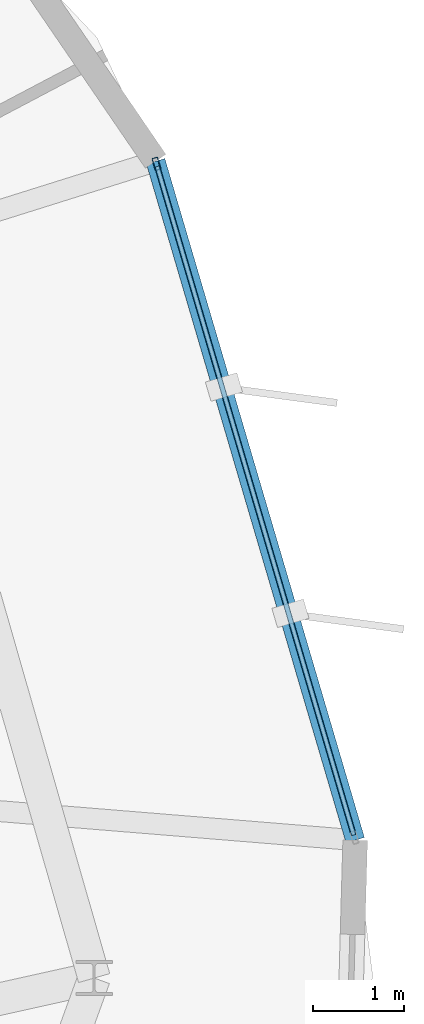
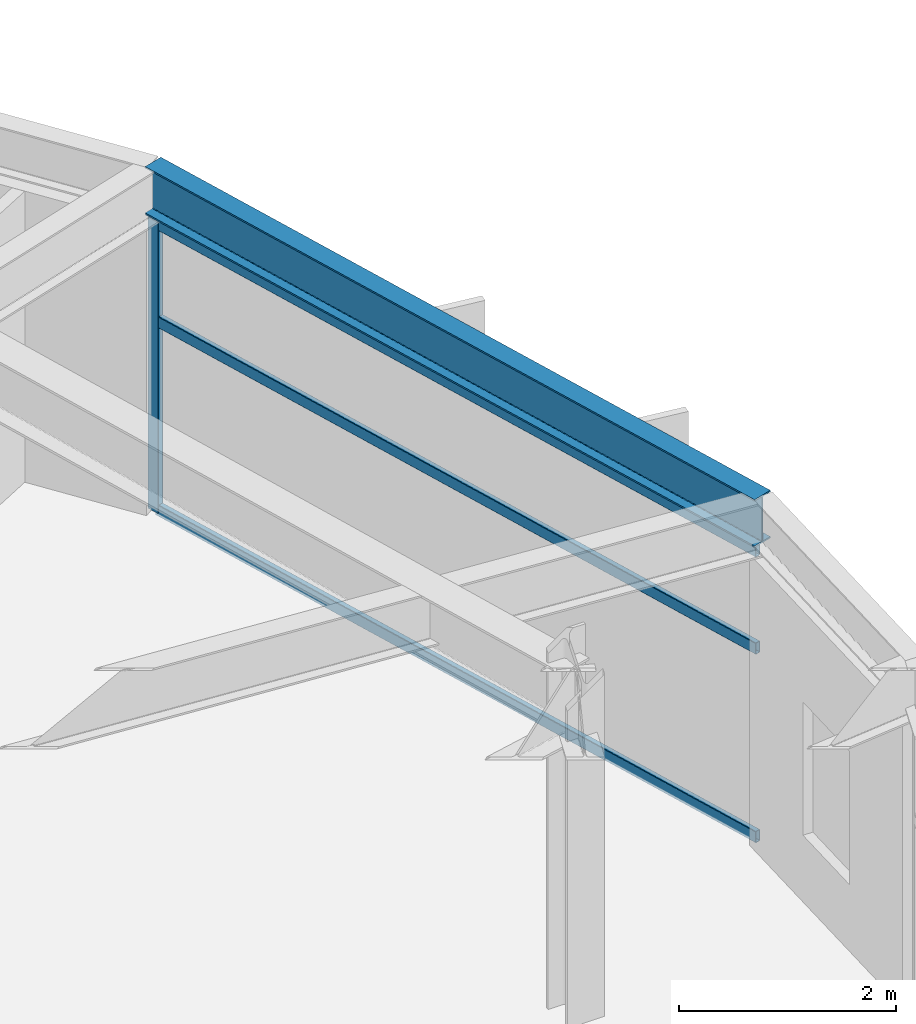
# One storey, part 13 of 20: 4 members, 1 beam, 1 element without a shape of its own.
"""IFC4 building model written with IfcOpenShell, lengths in metres."""

from ifc_helpers import new_model, si_unit, direction, frame, origin, origin_2d, place, context, subcontext, project, spatial, hollow_rectangle, i_section, extrude, material, layer, layer_set, material_profile, profile_set, type_object, element, aggregate, save


model = new_model("IFC4")

# Units and contexts
model_context = context("Model", 3, precision=1e-05, world=origin(), true_north=direction((0.0, 1.0)))
body_context = subcontext(model_context, "Body", "Model", "MODEL_VIEW")
ifc_project = project(units=[si_unit("LENGTHUNIT", "METRE"), si_unit("AREAUNIT", "SQUARE_METRE"), si_unit("VOLUMEUNIT", "CUBIC_METRE"), si_unit("PLANEANGLEUNIT", "RADIAN"), si_unit("MASSUNIT", "GRAM", prefix="KILO")], contexts=[model_context])

# Site, building, storey
site_placement = place(None, origin())
site = spatial("IfcSite", under=ifc_project, at=site_placement, CompositionType="ELEMENT")
building_placement = place(site_placement, origin())
building = spatial("IfcBuilding", under=site, at=building_placement, Name="Soratama Intermodal Tower", CompositionType="ELEMENT")
storey_placement = place(building_placement, frame((0.0, 0.0, 293.050048828125)))
storey = spatial("IfcBuildingStorey", under=building, at=storey_placement, Name="L74", CompositionType="ELEMENT", Elevation=293.050048828125)

# Beam
ifc_material_1 = material(Name="Structural steel ASTM A992 Grade 50", Category="steel")
ifc_material_profile_1 = material_profile(ifc_material_1, i_section(OverallWidth=0.2099609375, OverallDepth=0.537109375, WebThickness=0.010986328125, FlangeThickness=0.017333984375, FilletRadius=0.012939453125, at=origin_2d()), Name="W21X68")
ifc_profile_set_1 = profile_set([ifc_material_profile_1], Name="Structural steel ASTM A992 Grade 50")
beam_type = type_object("IfcBeamType", Name="BM-SPN-W21X68", PredefinedType="SPANDREL", material=ifc_profile_set_1)
beam_placement = place(storey_placement, frame((59.552978515625, 25.9990234375, 3.62646484375), z_axis=(-0.28203683216, 0.959403577909, 0.0), x_axis=(-0.959403577909, -0.28203683216, 0.0)))
element("IfcBeam", 1, at=beam_placement, inside=storey, type_object=beam_type, Name="BS-L74-F09", PredefinedType="SPANDREL", context=body_context, shape_type="SweptSolid", body=[
    extrude(i_section(OverallWidth=0.2099609375, OverallDepth=0.537109375, WebThickness=0.010986328125, FlangeThickness=0.017333984375, FilletRadius=0.012939453125, at=origin_2d()), origin(), (0.0, 0.0, 1.0), 7.7578125),
])

# Curtain wall, members
ifc_material_2 = material(Name="Double-glazed aluminium curtain wall", Category="aluminium")
ifc_layer = layer(ifc_material_2, 0.159912109375)
ifc_layer_set = layer_set([ifc_layer], Name="Double-glazed aluminium curtain wall")
curtain_wall_type = type_object("IfcCurtainWallType", Name="CW-SYS-6", PredefinedType="NOTDEFINED", material=ifc_layer_set)
curtain_wall_placement = place(storey_placement, origin())
curtain_wall = element("IfcCurtainWall", 2, at=curtain_wall_placement, inside=storey, type_object=curtain_wall_type, Name="L74 Faceted Curtain Wall F09", PredefinedType="NOTDEFINED")
ifc_material_3 = material(Name="Anodised aluminium AA 6063-T6", Category="aluminium")
ifc_material_profile_2 = material_profile(ifc_material_3, hollow_rectangle(XDim=0.06494140625, YDim=0.139892578125, WallThickness=0.0048828125, InnerFilletRadius=0.0048828125, OuterFilletRadius=0.010009765625, at=origin_2d()), Name="CWM140X65X5")
ifc_profile_set_2 = profile_set([ifc_material_profile_2], Name="Anodised aluminium AA 6063-T6")
member_type_1 = type_object("IfcMemberType", Name="MT-CWM-6", PredefinedType="MULLION", material=ifc_profile_set_2)
member_1_placement = place(storey_placement, frame((57.373779296875, 33.413330078125, 0.0), z_axis=(0.0, 0.0, 1.0), x_axis=(-0.95941351654, -0.282003021758, 0.0)))
member_1 = element("IfcMember", 3, at=member_1_placement, type_object=member_type_1, Name="CW-6 mullion 2", PredefinedType="MULLION", context=body_context, shape_type="SweptSolid", body=[
    extrude(hollow_rectangle(XDim=0.06494140625, YDim=0.139892578125, WallThickness=0.0048828125, InnerFilletRadius=0.0048828125, OuterFilletRadius=0.010009765625, at=origin_2d()), origin(), (0.0, 0.0, 1.0), 3.27392578125),
])
ifc_material_4 = material(Name="Anodised aluminium AA 6063-T6", Category="aluminium")
ifc_material_profile_3 = material_profile(ifc_material_4, hollow_rectangle(XDim=0.06005859375, YDim=0.1298828125, WallThickness=0.0048828125, InnerFilletRadius=0.0048828125, OuterFilletRadius=0.010009765625, at=origin_2d()), Name="CWT130X60X5")
ifc_profile_set_3 = profile_set([ifc_material_profile_3], Name="Anodised aluminium AA 6063-T6")
member_type_2 = type_object("IfcMemberType", Name="TT-CWT-2", PredefinedType="USERDEFINED", material=ifc_profile_set_3)
member_2_placement = place(storey_placement, frame((59.5361328125, 26.056396484375, 0.030029296875), z_axis=(-0.281982884412, 0.959419435335, 0.0), x_axis=(-0.959419435335, -0.281982884412, 0.0)))
member_2 = element("IfcMember", 4, at=member_2_placement, type_object=member_type_2, Name="CW-6 transom 1.1", ObjectType="TRANSOM", PredefinedType="USERDEFINED", context=body_context, shape_type="SweptSolid", body=[
    extrude(hollow_rectangle(XDim=0.06005859375, YDim=0.1298828125, WallThickness=0.0048828125, InnerFilletRadius=0.0048828125, OuterFilletRadius=0.010009765625, at=origin_2d()), origin(), (0.0, 0.0, 1.0), 7.63818359375),
])
member_3_placement = place(storey_placement, frame((59.5361328125, 26.056396484375, 2.14990234375), z_axis=(-0.281982884412, 0.959419435335, 0.0), x_axis=(-0.959419435335, -0.281982884412, 0.0)))
member_3 = element("IfcMember", 5, at=member_3_placement, type_object=member_type_2, Name="CW-6 transom 1.2", ObjectType="TRANSOM", PredefinedType="USERDEFINED", context=body_context, shape_type="SweptSolid", body=[
    extrude(hollow_rectangle(XDim=0.06005859375, YDim=0.1298828125, WallThickness=0.0048828125, InnerFilletRadius=0.0048828125, OuterFilletRadius=0.010009765625, at=origin_2d()), origin(), (0.0, 0.0, 1.0), 7.63818359375),
])
member_4_placement = place(storey_placement, frame((59.5361328125, 26.056396484375, 3.243896484375), z_axis=(-0.281982884412, 0.959419435335, 0.0), x_axis=(-0.959419435335, -0.281982884412, 0.0)))
member_4 = element("IfcMember", 6, at=member_4_placement, type_object=member_type_2, Name="CW-6 transom 1.3", ObjectType="TRANSOM", PredefinedType="USERDEFINED", context=body_context, shape_type="SweptSolid", body=[
    extrude(hollow_rectangle(XDim=0.06005859375, YDim=0.1298828125, WallThickness=0.0048828125, InnerFilletRadius=0.0048828125, OuterFilletRadius=0.010009765625, at=origin_2d()), origin(), (0.0, 0.0, 1.0), 7.63818359375),
])
aggregate(curtain_wall, [member_1, member_2, member_3, member_4])

save(model, "model.ifc")
